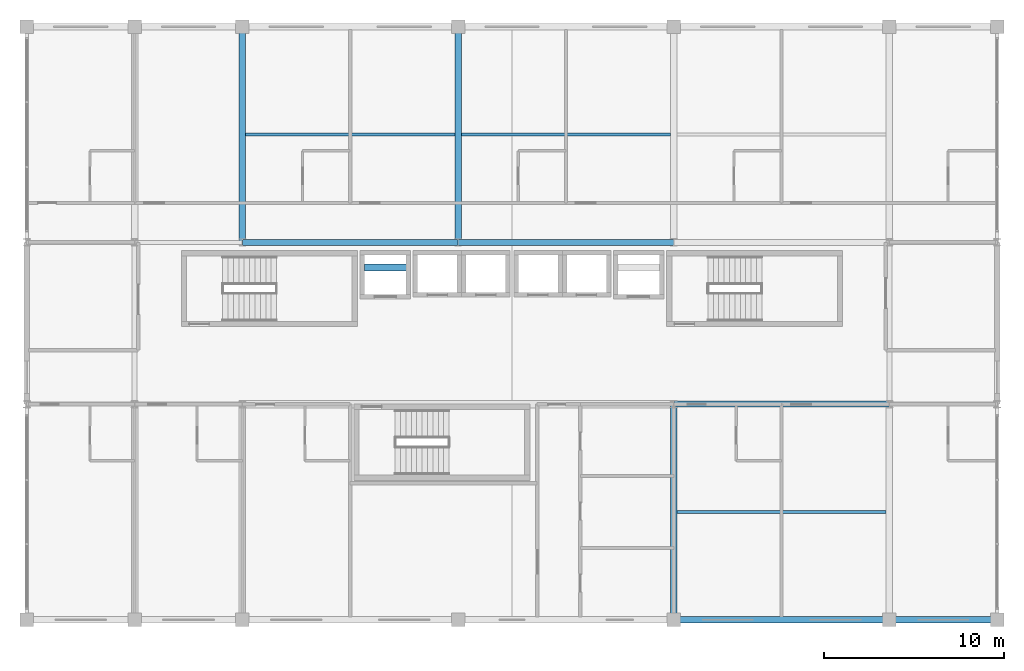
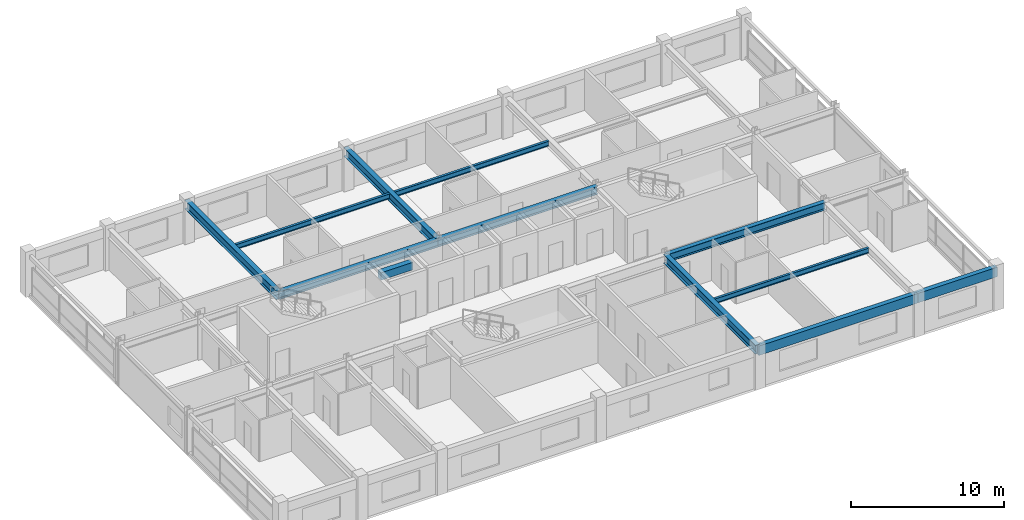
# One storey, part 8 of 20: 12 beams.
"""IFC4 building model written with IfcOpenShell, lengths in metres."""

from ifc_helpers import new_model, si_unit, direction, frame, origin, origin_2d, place, context, subcontext, project, spatial, rectangle, i_section, extrude, material, material_profile, profile_set, type_object, element, save


model = new_model("IFC4")

# Units and contexts
model_context = context("Model", 3, precision=1e-05, world=origin(), true_north=direction((0.0, 1.0)))
body_context = subcontext(model_context, "Body", "Model", "MODEL_VIEW")
ifc_project = project(units=[si_unit("LENGTHUNIT", "METRE"), si_unit("AREAUNIT", "SQUARE_METRE"), si_unit("VOLUMEUNIT", "CUBIC_METRE"), si_unit("PLANEANGLEUNIT", "RADIAN"), si_unit("MASSUNIT", "GRAM", prefix="KILO")], contexts=[model_context])

# Site, building, storey
site_placement = place(None, origin())
site = spatial("IfcSite", under=ifc_project, at=site_placement, CompositionType="ELEMENT")
building_placement = place(site_placement, origin())
building = spatial("IfcBuilding", under=site, at=building_placement, Name="Kaldorvane Square Convention Centre", CompositionType="ELEMENT")
storey_placement = place(building_placement, frame((0.0, 0.0, 56.399993896484375)))
storey = spatial("IfcBuildingStorey", under=building, at=storey_placement, Name="L13", CompositionType="ELEMENT", Elevation=56.399993896484375)

# Beams
ifc_material_1 = material(Name="Steel ASTM A992 Gr. 50", Category="steel")
ifc_material_profile_1 = material_profile(ifc_material_1, i_section(OverallWidth=0.326507568359375, OverallDepth=0.621795654296875, WebThickness=0.0153961181640625, FlangeThickness=0.0243988037109375, FilletRadius=0.0126953125, at=origin_2d()), Name="W24X131")
ifc_profile_set_1 = profile_set([ifc_material_profile_1], Name="Steel ASTM A992 Gr. 50")
beam_type_1 = type_object("IfcBeamType", Name="BM-GR-W24X131", PredefinedType="BEAM", material=ifc_profile_set_1)
for number, where, z_axis, x_axis, name in (
    (1, (66.0, 96.0, 2.9751129150390625), (1.0, 0.0, 0.0), (0.0, 1.0, 0.0), "Primary Girder (L13)"),
    (2, (42.0, 105.0, 2.9751129150390625), (1.0, 0.0, 0.0), (0.0, 1.0, 0.0), "Primary Girder (L13)"),
    (3, (54.0, 105.0, 2.9751129150390625), (1.0, 0.0, 0.0), (0.0, 1.0, 0.0), "Primary Girder (L13)"),
):
    element("IfcBeam", number, at=place(storey_placement, frame(where, z_axis=z_axis, x_axis=x_axis)), inside=storey, type_object=beam_type_1, Name=name, PredefinedType="BEAM", context=body_context, shape_type="SweptSolid", body=[
        extrude(i_section(OverallWidth=0.326507568359375, OverallDepth=0.621795654296875, WebThickness=0.0153961181640625, FlangeThickness=0.0243988037109375, FilletRadius=0.0126953125, at=origin_2d()), origin(), (0.0, 0.0, 1.0), 12.0),
    ])
ifc_material_profile_2 = material_profile(ifc_material_1, i_section(OverallWidth=0.354705810546875, OverallDepth=0.69549560546875, WebThickness=0.0153961181640625, FlangeThickness=0.0251007080078125, FilletRadius=0.01519775390625, at=origin_2d()), Name="W27X146")
ifc_profile_set_2 = profile_set([ifc_material_profile_2], Name="Steel ASTM A992 Gr. 50")
beam_type_2 = type_object("IfcBeamType", Name="BM-GR-W27X146", PredefinedType="BEAM", material=ifc_profile_set_2)
for number, where, z_axis, x_axis, name in (
    (4, (42.0, 105.0, 2.9383087158203125), (0.0, 1.0, 0.0), (-1.0, 0.0, 0.0), "Transverse Girder (L13)"),
    (5, (54.0, 105.0, 2.9383087158203125), (0.0, 1.0, 0.0), (-1.0, 0.0, 0.0), "Transverse Girder (L13)"),
    (6, (66.0, 84.0, 2.9383087158203125), (0.0, 1.0, 0.0), (-1.0, 0.0, 0.0), "Transverse Girder (L13)"),
):
    element("IfcBeam", number, at=place(storey_placement, frame(where, z_axis=z_axis, x_axis=x_axis)), inside=storey, type_object=beam_type_2, Name=name, PredefinedType="BEAM", context=body_context, shape_type="SweptSolid", body=[
        extrude(i_section(OverallWidth=0.354705810546875, OverallDepth=0.69549560546875, WebThickness=0.0153961181640625, FlangeThickness=0.0251007080078125, FilletRadius=0.01519775390625, at=origin_2d()), origin(), (0.0, 0.0, 1.0), 12.0),
    ])
ifc_material_profile_3 = material_profile(ifc_material_1, i_section(OverallWidth=0.177398681640625, OverallDepth=0.403106689453125, WebThickness=0.00750732421875, FlangeThickness=0.010894775390625, FilletRadius=0.01019287109375, at=origin_2d()), Name="W16X36")
ifc_profile_set_3 = profile_set([ifc_material_profile_3], Name="Steel ASTM A992 Gr. 50")
beam_type_3 = type_object("IfcBeamType", Name="BM-JS-W16X36", PredefinedType="JOIST", material=ifc_profile_set_3)
beam_1_placement = place(storey_placement, frame((66.17739868164062, 90.0, 3.084503173828125), z_axis=(1.0, 0.0, 0.0), x_axis=(0.0, 1.0, 0.0)))
element("IfcBeam", 7, at=beam_1_placement, inside=storey, type_object=beam_type_3, Name="Secondary Floor Joist (L13)", PredefinedType="JOIST", context=body_context, shape_type="SweptSolid", body=[
    extrude(i_section(OverallWidth=0.177398681640625, OverallDepth=0.403106689453125, WebThickness=0.00750732421875, FlangeThickness=0.010894775390625, FilletRadius=0.01019287109375, at=origin_2d()), origin(), (0.0, 0.0, 1.0), 11.64520263671875),
])
beam_2_placement = place(storey_placement, frame((42.17730712890625, 111.0, 3.084503173828125), z_axis=(1.0, 0.0, 0.0), x_axis=(0.0, 1.0, 0.0)))
element("IfcBeam", 8, at=beam_2_placement, inside=storey, type_object=beam_type_3, Name="Secondary Floor Joist (L13)", PredefinedType="JOIST", context=body_context, shape_type="SweptSolid", body=[
    extrude(i_section(OverallWidth=0.177398681640625, OverallDepth=0.403106689453125, WebThickness=0.00750732421875, FlangeThickness=0.010894775390625, FilletRadius=0.01019287109375, at=origin_2d()), origin(), (0.0, 0.0, 1.0), 11.6453857421875),
])
beam_3_placement = place(storey_placement, frame((54.17730712890625, 111.0, 3.084503173828125), z_axis=(1.0, 0.0, 0.0), x_axis=(0.0, 1.0, 0.0)))
element("IfcBeam", 9, at=beam_3_placement, inside=storey, type_object=beam_type_3, Name="Secondary Floor Joist (L13)", PredefinedType="JOIST", context=body_context, shape_type="SweptSolid", body=[
    extrude(i_section(OverallWidth=0.177398681640625, OverallDepth=0.403106689453125, WebThickness=0.00750732421875, FlangeThickness=0.010894775390625, FilletRadius=0.01019287109375, at=origin_2d()), origin(), (0.0, 0.0, 1.0), 11.645294189453125),
])
ifc_material_2 = material(Name="Concrete f'c = 42 MPa (Normalweight)", Category="concrete")
ifc_material_profile_4 = material_profile(ifc_material_2, rectangle(XDim=0.399993896484375, YDim=0.600006103515625, at=origin_2d()), Name="RCLN600X400")
ifc_profile_set_4 = profile_set([ifc_material_profile_4], Name="Concrete f'c = 42 MPa (Normalweight)")
beam_type_4 = type_object("IfcBeamType", Name="BM-LN-RC600", PredefinedType="LINTEL", material=ifc_profile_set_4)
beam_4_placement = place(storey_placement, frame((48.80000305175781, 103.60000610351562, 2.988006591796875), z_axis=(1.0, 0.0, 0.0), x_axis=(0.0, 1.0, 0.0)))
element("IfcBeam", 10, at=beam_4_placement, inside=storey, type_object=beam_type_4, Name="Core Coupling Lintel W (L13)", PredefinedType="LINTEL", context=body_context, shape_type="SweptSolid", body=[
    extrude(rectangle(XDim=0.399993896484375, YDim=0.600006103515625, at=origin_2d()), origin(), (0.0, 0.0, 1.0), 2.399993896484375),
])
ifc_material_profile_5 = material_profile(ifc_material_2, rectangle(XDim=0.350006103515625, YDim=0.75, at=origin_2d()), Name="RCSP750X350")
ifc_profile_set_5 = profile_set([ifc_material_profile_5], Name="Concrete f'c = 42 MPa (Normalweight)")
beam_type_5 = type_object("IfcBeamType", Name="BM-SP-RC750", PredefinedType="SPANDREL", material=ifc_profile_set_5)
beam_5_placement = place(storey_placement, frame((66.0, 84.0, 2.9110107421875), z_axis=(1.0, 0.0, 0.0), x_axis=(0.0, 1.0, 0.0)))
element("IfcBeam", 11, at=beam_5_placement, inside=storey, type_object=beam_type_5, Name="Perimeter Spandrel (L13)", PredefinedType="SPANDREL", context=body_context, shape_type="SweptSolid", body=[
    extrude(rectangle(XDim=0.350006103515625, YDim=0.75, at=origin_2d()), origin(), (0.0, 0.0, 1.0), 12.0),
])
beam_6_placement = place(storey_placement, frame((78.0, 84.0, 2.9110107421875), z_axis=(1.0, 0.0, 0.0), x_axis=(0.0, 1.0, 0.0)))
element("IfcBeam", 12, at=beam_6_placement, inside=storey, type_object=beam_type_5, Name="Perimeter Spandrel (L13)", PredefinedType="SPANDREL", context=body_context, shape_type="SweptSolid", body=[
    extrude(rectangle(XDim=0.350006103515625, YDim=0.75, at=origin_2d()), origin(), (0.0, 0.0, 1.0), 6.0),
])

save(model, "model.ifc")
